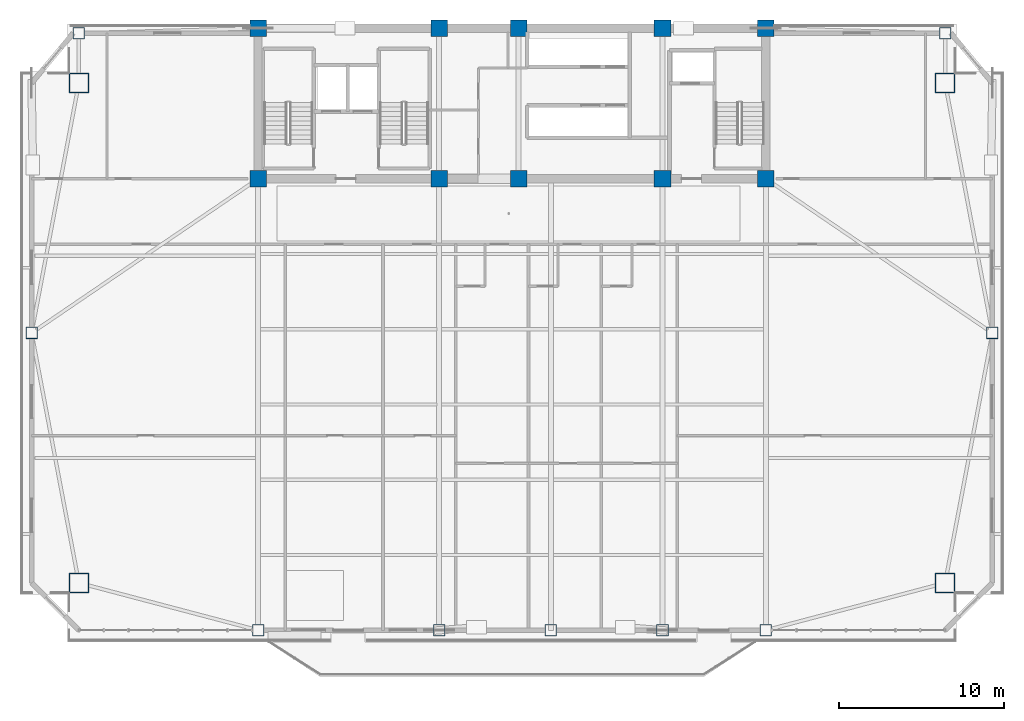
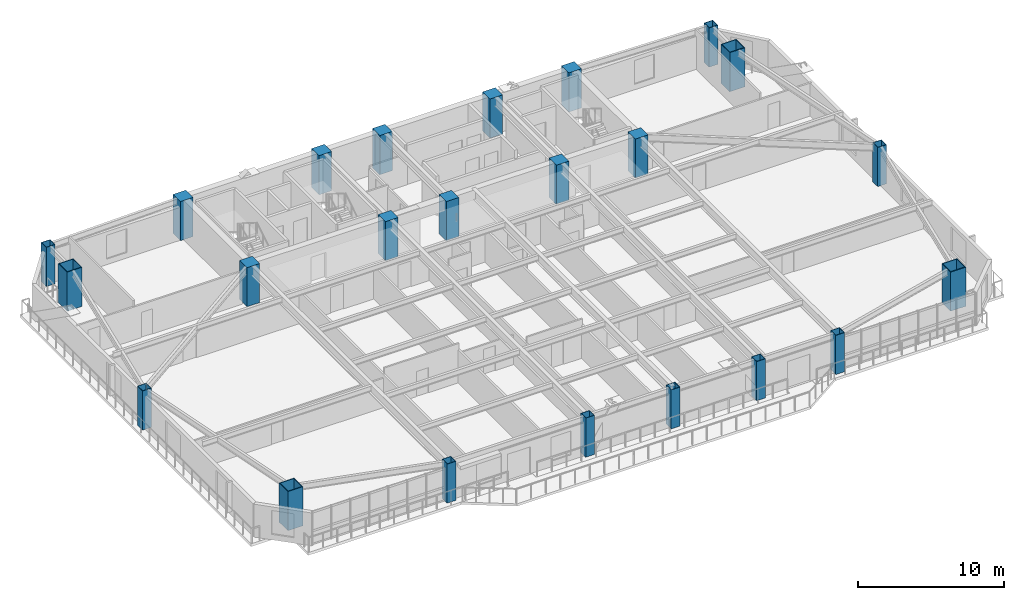
# One storey, part 1 of 15: 23 columns.
"""IFC4 building model written with IfcOpenShell, lengths in metres."""

from ifc_helpers import new_model, si_unit, direction, frame, origin, origin_2d, place, context, subcontext, project, spatial, rectangle, hollow_rectangle, extrude, source, transform, mapped, material, material_profile, profile_set, type_object, element, save


model = new_model("IFC4")

# Units and contexts
model_context = context("Model", 3, precision=1e-05, world=origin(), true_north=direction((0.0, 1.0)))
body_context = subcontext(model_context, "Body", "Model", "MODEL_VIEW")
ifc_project = project(units=[si_unit("LENGTHUNIT", "METRE"), si_unit("AREAUNIT", "SQUARE_METRE"), si_unit("VOLUMEUNIT", "CUBIC_METRE"), si_unit("PLANEANGLEUNIT", "RADIAN"), si_unit("MASSUNIT", "GRAM", prefix="KILO")], contexts=[model_context])

# Site, building, storey
site_placement = place(None, origin())
site = spatial("IfcSite", under=ifc_project, at=site_placement, CompositionType="ELEMENT")
building_placement = place(site_placement, origin())
building = spatial("IfcBuilding", under=site, at=building_placement, Name="Giltprow Tower", CompositionType="ELEMENT")
storey_placement = place(building_placement, frame((0.0, 0.0, 180.699951171875)))
storey = spatial("IfcBuildingStorey", under=building, at=storey_placement, Name="L45", CompositionType="ELEMENT", Elevation=180.699951171875)

# Columns
ifc_material_1 = material(Name="Concrete C50", Category="concrete")
ifc_material_profile_1 = material_profile(ifc_material_1, rectangle(XDim=1.0, YDim=1.0, at=origin_2d()), Name="RC 1000x1000")
ifc_profile_set_1 = profile_set([ifc_material_profile_1], Name="Concrete C50")
column_type_1 = type_object("IfcColumnType", Name="PIL-RC-1000-C50", PredefinedType="PILASTER", material=ifc_profile_set_1)
shared_shape_1 = source(origin(), body_context, "Body", "SweptSolid", [
    extrude(rectangle(XDim=1.0, YDim=1.0, at=origin_2d()), origin(), (0.0, 0.0, 1.0), 3.27001953125),
])
for number, where, z_axis, x_axis, name in (
    (1, (19.85009765625, 37.449951171875, 0.0), (0.0, 0.0, 1.0), (1.0, 0.0, 0.0), "L45 Core Boundary Pilaster 1-1"),
    (2, (19.85009765625, 46.550048828125, 0.0), (0.0, 0.0, 1.0), (1.0, 0.0, 0.0), "L45 Core Boundary Pilaster 1-2"),
    (3, (30.800048828125, 37.449951171875, 0.0), (0.0, 0.0, 1.0), (1.0, 0.0, 0.0), "L45 Core Boundary Pilaster 2-1"),
    (4, (30.800048828125, 46.550048828125, 0.0), (0.0, 0.0, 1.0), (1.0, 0.0, 0.0), "L45 Core Boundary Pilaster 2-2"),
    (5, (35.60009765625, 37.449951171875, 0.0), (0.0, 0.0, 1.0), (1.0, 0.0, 0.0), "L45 Core Boundary Pilaster 3-1"),
    (6, (35.60009765625, 46.550048828125, 0.0), (0.0, 0.0, 1.0), (1.0, 0.0, 0.0), "L45 Core Boundary Pilaster 3-2"),
    (7, (44.300048828125, 37.449951171875, 0.0), (0.0, 0.0, 1.0), (1.0, 0.0, 0.0), "L45 Core Boundary Pilaster 4-1"),
    (8, (44.300048828125, 46.550048828125, 0.0), (0.0, 0.0, 1.0), (1.0, 0.0, 0.0), "L45 Core Boundary Pilaster 4-2"),
    (9, (50.550048828125, 37.449951171875, 0.0), (0.0, 0.0, 1.0), (1.0, 0.0, 0.0), "L45 Core Boundary Pilaster 5-1"),
    (10, (50.550048828125, 46.550048828125, 0.0), (0.0, 0.0, 1.0), (1.0, 0.0, 0.0), "L45 Core Boundary Pilaster 5-2"),
):
    element("IfcColumn", number, at=place(storey_placement, frame(where, z_axis=z_axis, x_axis=x_axis)), inside=storey, type_object=column_type_1, Name=name, PredefinedType="PILASTER", context=body_context, shape_type="MappedRepresentation", body=[
        mapped(shared_shape_1, transform((0.0, 0.0, 0.0), x_axis=(1.0, 0.0, 0.0), y_axis=(0.0, 1.0, 0.0), z_axis=(0.0, 0.0, 1.0), scale=1.0)),
    ])
ifc_material_2 = material(Name="Structural steel Q420GJC", Category="steel")
ifc_material_profile_2 = material_profile(ifc_material_2, hollow_rectangle(XDim=1.199951171875, YDim=1.199951171875, WallThickness=0.054931640625, at=origin_2d()), Name="BOX 1200x1200x55")
ifc_profile_set_2 = profile_set([ifc_material_profile_2], Name="Structural steel Q420GJC")
column_type_2 = type_object("IfcColumnType", Name="COL-BOX-1200x1200x55", PredefinedType="COLUMN", material=ifc_profile_set_2)
shared_shape_2 = source(origin(), body_context, "Body", "SweptSolid", [
    extrude(hollow_rectangle(XDim=1.199951171875, YDim=1.199951171875, WallThickness=0.054931640625, at=origin_2d()), origin(), (0.0, 0.0, 1.0), 3.27001953125),
])
for number, where, z_axis, x_axis, name in (
    (11, (9.014892578125, 13.014892578125, 0.0), (0.0, 0.0, 1.0), (1.0, 0.0, 0.0), "L45 Mega-Column MC_SW"),
    (12, (61.385986328125, 13.014892578125, 0.0), (0.0, 0.0, 1.0), (1.0, 0.0, 0.0), "L45 Mega-Column MC_SE"),
    (13, (9.014892578125, 43.239013671875, 0.0), (0.0, 0.0, 1.0), (1.0, 0.0, 0.0), "L45 Mega-Column MC_NW"),
    (14, (61.385986328125, 43.239013671875, 0.0), (0.0, 0.0, 1.0), (1.0, 0.0, 0.0), "L45 Mega-Column MC_NE"),
):
    element("IfcColumn", number, at=place(storey_placement, frame(where, z_axis=z_axis, x_axis=x_axis)), inside=storey, type_object=column_type_2, Name=name, PredefinedType="COLUMN", context=body_context, shape_type="MappedRepresentation", body=[
        mapped(shared_shape_2, transform((0.0, 0.0, 0.0), x_axis=(1.0, 0.0, 0.0), y_axis=(0.0, 1.0, 0.0), z_axis=(0.0, 0.0, 1.0), scale=1.0)),
    ])
ifc_material_profile_3 = material_profile(ifc_material_2, hollow_rectangle(XDim=0.699951171875, YDim=0.699951171875, WallThickness=0.031982421875, at=origin_2d()), Name="BOX 700x700x32")
ifc_profile_set_3 = profile_set([ifc_material_profile_3], Name="Structural steel Q420GJC")
column_type_3 = type_object("IfcColumnType", Name="COL-BOX-700x700x32", PredefinedType="COLUMN", material=ifc_profile_set_3)
shared_shape_3 = source(origin(), body_context, "Body", "SweptSolid", [
    extrude(hollow_rectangle(XDim=0.699951171875, YDim=0.699951171875, WallThickness=0.031982421875, at=origin_2d()), origin(), (0.0, 0.0, 1.0), 3.27001953125),
])
for number, where, z_axis, x_axis, name in (
    (15, (19.85009765625, 10.154052734375, 0.0), (0.0, 0.0, 1.0), (1.0, 0.0, 0.0), "L45 Perimeter Column S1"),
    (16, (30.800048828125, 10.154052734375, 0.0), (0.0, 0.0, 1.0), (1.0, 0.0, 0.0), "L45 Perimeter Column S2"),
    (17, (37.550048828125, 10.154052734375, 0.0), (0.0, 0.0, 1.0), (1.0, 0.0, 0.0), "L45 Perimeter Column S_MID"),
    (18, (44.300048828125, 10.154052734375, 0.0), (0.0, 0.0, 1.0), (1.0, 0.0, 0.0), "L45 Perimeter Column S3"),
    (19, (50.550048828125, 10.154052734375, 0.0), (0.0, 0.0, 1.0), (1.0, 0.0, 0.0), "L45 Perimeter Column S4"),
    (20, (6.154052734375, 28.126953125, 0.0), (0.0, 0.0, 1.0), (1.0, 0.0, 0.0), "L45 Perimeter Column W_MID"),
    (21, (64.2470703125, 28.126953125, 0.0), (0.0, 0.0, 1.0), (1.0, 0.0, 0.0), "L45 Perimeter Column E_MID"),
    (22, (9.014892578125, 46.25, 0.0), (0.0, 0.0, 1.0), (1.0, 0.0, 0.0), "L45 Perimeter Column N_W"),
    (23, (61.385986328125, 46.25, 0.0), (0.0, 0.0, 1.0), (1.0, 0.0, 0.0), "L45 Perimeter Column N_E"),
):
    element("IfcColumn", number, at=place(storey_placement, frame(where, z_axis=z_axis, x_axis=x_axis)), inside=storey, type_object=column_type_3, Name=name, PredefinedType="COLUMN", context=body_context, shape_type="MappedRepresentation", body=[
        mapped(shared_shape_3, transform((0.0, 0.0, 0.0), x_axis=(1.0, 0.0, 0.0), y_axis=(0.0, 1.0, 0.0), z_axis=(0.0, 0.0, 1.0), scale=1.0)),
    ])

save(model, "model.ifc")
